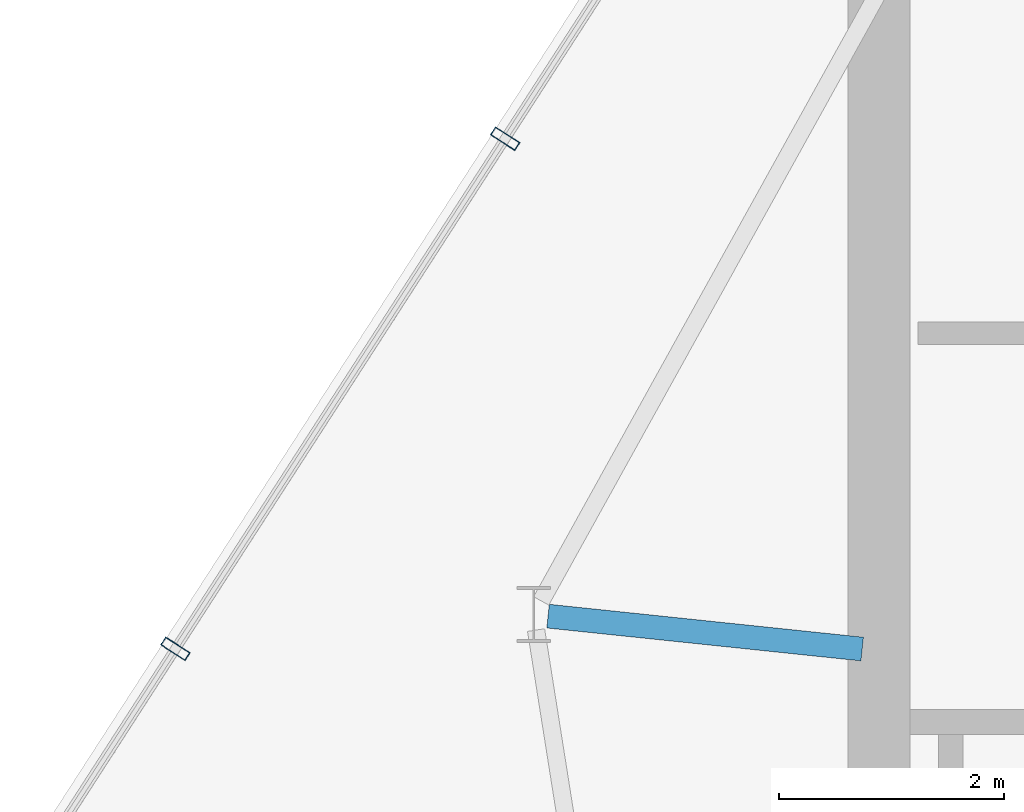
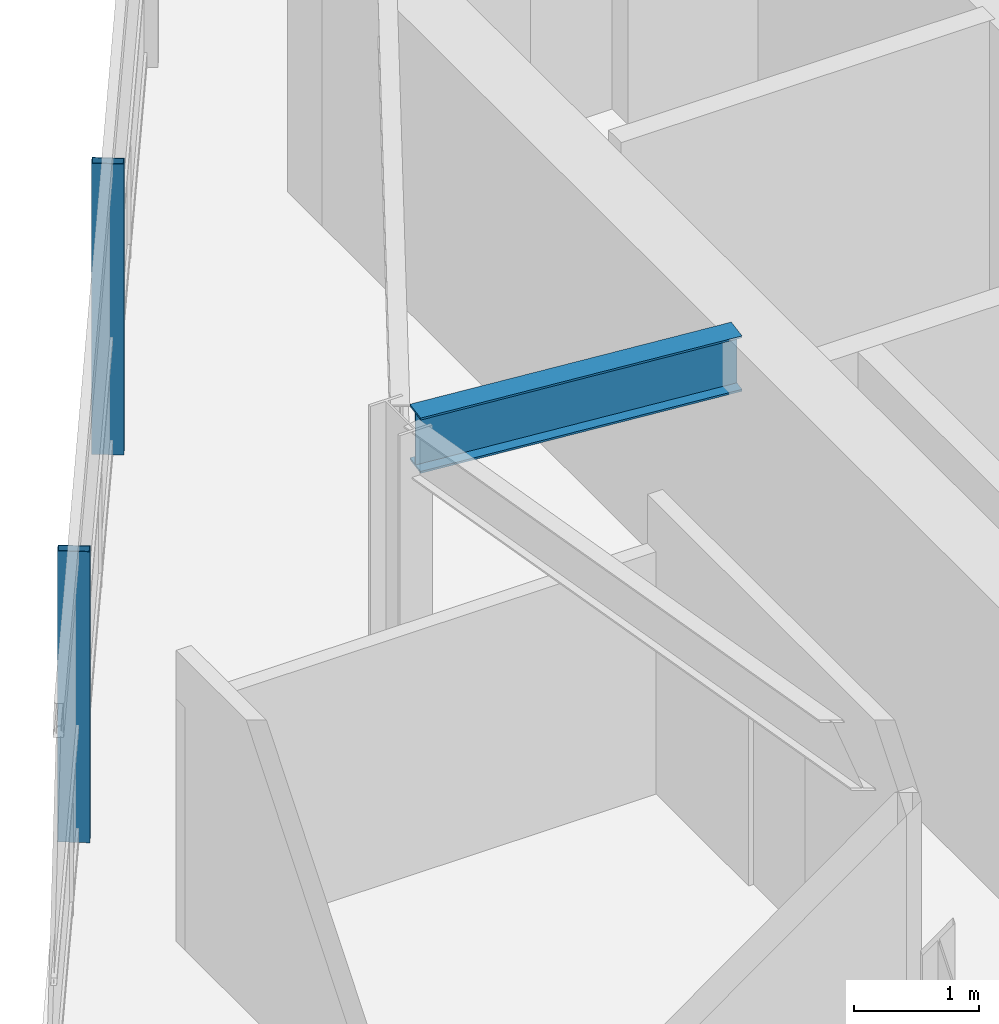
# One storey, part 6 of 16: 2 members, 1 beam, 1 element without a shape of its own.
"""IFC4 building model written with IfcOpenShell, lengths in metres."""

from ifc_helpers import new_model, si_unit, direction, frame, origin, origin_2d, place, context, subcontext, project, spatial, hollow_rectangle, i_section, extrude, material, layer, layer_set, material_profile, profile_set, type_object, element, aggregate, save


model = new_model("IFC4")

# Units and contexts
model_context = context("Model", 3, precision=1e-05, world=origin(), true_north=direction((0.0, 1.0)))
body_context = subcontext(model_context, "Body", "Model", "MODEL_VIEW")
ifc_project = project(units=[si_unit("LENGTHUNIT", "METRE"), si_unit("AREAUNIT", "SQUARE_METRE"), si_unit("VOLUMEUNIT", "CUBIC_METRE"), si_unit("PLANEANGLEUNIT", "RADIAN"), si_unit("MASSUNIT", "GRAM", prefix="KILO")], contexts=[model_context])

# Site, building, storey
site_placement = place(None, origin())
site = spatial("IfcSite", under=ifc_project, at=site_placement, CompositionType="ELEMENT")
building_placement = place(site_placement, origin())
building = spatial("IfcBuilding", under=site, at=building_placement, Name="Qarnah Convention Tower", CompositionType="ELEMENT")
storey_placement = place(building_placement, frame((0.0, 0.0, 283.5)))
storey = spatial("IfcBuildingStorey", under=building, at=storey_placement, Name="L76", CompositionType="ELEMENT", Elevation=283.5)

# Beam
ifc_material_1 = material(Name="Structural steel S355JR", Category="steel")
ifc_material_profile_1 = material_profile(ifc_material_1, i_section(OverallWidth=0.2119140625, OverallDepth=0.5400390625, WebThickness=0.011962890625, FlangeThickness=0.01904296875, at=origin_2d()), Name="W530X109")
ifc_profile_set_1 = profile_set([ifc_material_profile_1], Name="Structural steel S355JR")
beam_type = type_object("IfcBeamType", Name="BM-RAD-W530A", PredefinedType="BEAM", material=ifc_profile_set_1)
beam_placement = place(storey_placement, frame((26.65087890625, 27.509033203125, 2.570068359375), z_axis=(-0.994562369636, 0.104142656506, 0.0), x_axis=(-0.104142656506, -0.994562369636, 0.0)))
element("IfcBeam", 1, at=beam_placement, inside=storey, type_object=beam_type, Name="L76 beam BM-L76-RAD-05", PredefinedType="BEAM", context=body_context, shape_type="SweptSolid", body=[
    extrude(i_section(OverallWidth=0.2119140625, OverallDepth=0.5400390625, WebThickness=0.011962890625, FlangeThickness=0.01904296875, at=origin_2d()), origin(), (0.0, 0.0, 1.0), 2.813232421875),
])

# Curtain wall, members
ifc_material_2 = material(Name="Tempered Low-E dark glass", Category="glass")
ifc_layer = layer(ifc_material_2, 0.177978515625)
ifc_layer_set = layer_set([ifc_layer], Name="Tempered Low-E dark glass")
curtain_wall_type = type_object("IfcCurtainWallType", Name="CWS-06", PredefinedType="NOTDEFINED", material=ifc_layer_set)
curtain_wall_placement = place(storey_placement, origin())
curtain_wall = element("IfcCurtainWall", 2, at=curtain_wall_placement, inside=storey, type_object=curtain_wall_type, Name="L76 unitised curtain wall CW-L76-F3", PredefinedType="NOTDEFINED")
ifc_material_3 = material(Name="Black anodised aluminium", Category="aluminium")
ifc_material_profile_2 = material_profile(ifc_material_3, hollow_rectangle(XDim=0.0849609375, YDim=0.260009765625, WallThickness=0.006103515625, at=origin_2d()), Name="MUL-85X260")
ifc_profile_set_2 = profile_set([ifc_material_profile_2], Name="Black anodised aluminium")
member_type = type_object("IfcMemberType", Name="MUL-T6", PredefinedType="MULLION", material=ifc_profile_set_2)
member_1_placement = place(storey_placement, frame((20.53369140625, 27.51123046875, 0.0), z_axis=(0.0, 0.0, 1.0), x_axis=(0.542871059337, 0.839816058988, 0.0)))
member_1 = element("IfcMember", 3, at=member_1_placement, type_object=member_type, Name="CW-L76-F3 mullion 2", PredefinedType="MULLION", context=body_context, shape_type="SweptSolid", body=[
    extrude(hollow_rectangle(XDim=0.0849609375, YDim=0.260009765625, WallThickness=0.006103515625, at=origin_2d()), origin(), (0.0, 0.0, 1.0), 2.840087890625),
])
member_2_placement = place(storey_placement, frame((23.470703125, 32.054443359375, 0.0), z_axis=(0.0, 0.0, 1.0), x_axis=(0.542871059337, 0.839816058988, 0.0)))
member_2 = element("IfcMember", 4, at=member_2_placement, type_object=member_type, Name="CW-L76-F3 mullion 3", PredefinedType="MULLION", context=body_context, shape_type="SweptSolid", body=[
    extrude(hollow_rectangle(XDim=0.0849609375, YDim=0.260009765625, WallThickness=0.006103515625, at=origin_2d()), origin(), (0.0, 0.0, 1.0), 2.840087890625),
])
aggregate(curtain_wall, [member_1, member_2])

save(model, "model.ifc")
